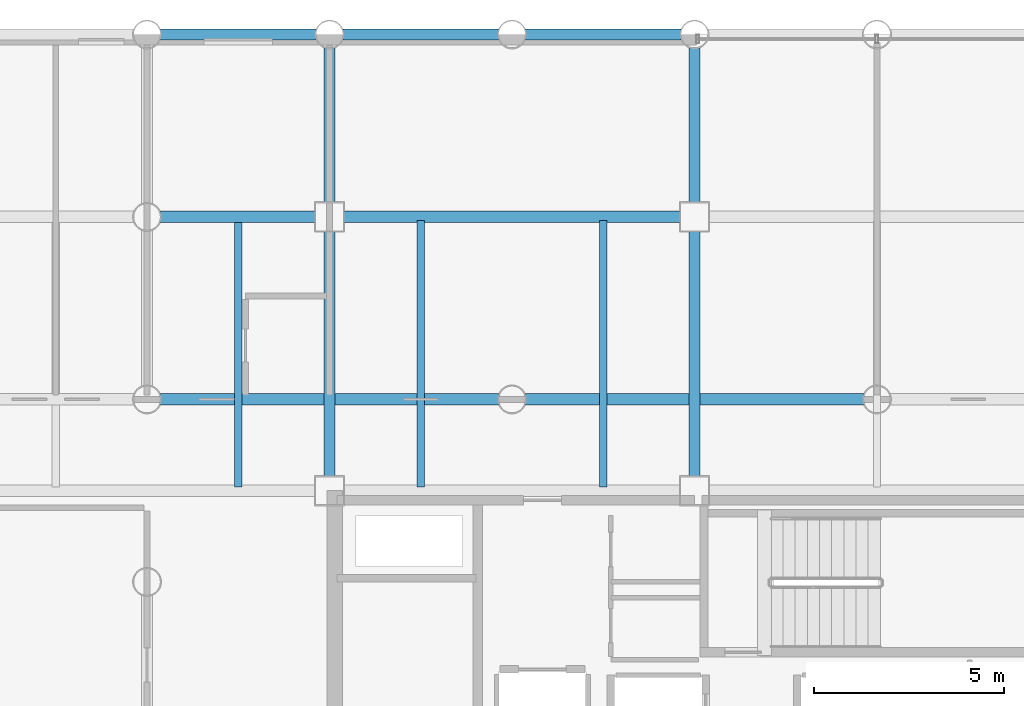
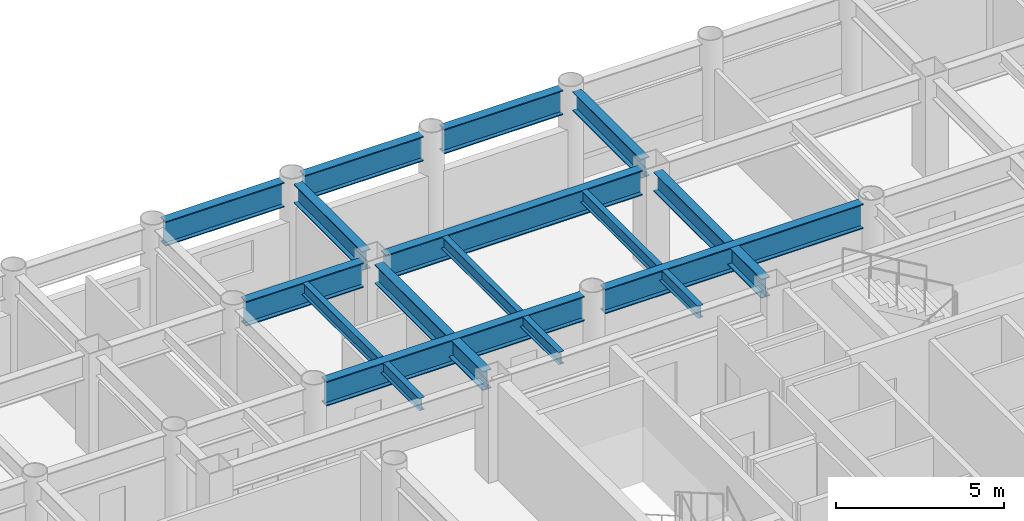
# One storey, part 10 of 21: 14 beams.
"""IFC4 building model written with IfcOpenShell, lengths in metres."""

from ifc_helpers import new_model, si_unit, direction, frame, origin, origin_2d, place, context, subcontext, project, spatial, i_section, extrude, material, material_profile, profile_set, type_object, element, save


model = new_model("IFC4")

# Units and contexts
model_context = context("Model", 3, precision=1e-05, world=origin(), true_north=direction((0.0, 1.0)))
body_context = subcontext(model_context, "Body", "Model", "MODEL_VIEW")
ifc_project = project(units=[si_unit("LENGTHUNIT", "METRE"), si_unit("AREAUNIT", "SQUARE_METRE"), si_unit("VOLUMEUNIT", "CUBIC_METRE"), si_unit("PLANEANGLEUNIT", "RADIAN"), si_unit("MASSUNIT", "GRAM", prefix="KILO")], contexts=[model_context])

# Site, building, storey
site_placement = place(None, origin())
site = spatial("IfcSite", under=ifc_project, at=site_placement, CompositionType="ELEMENT")
building_placement = place(site_placement, origin())
building = spatial("IfcBuilding", under=site, at=building_placement, Name="Kallvorn Hotel Tower", CompositionType="ELEMENT")
storey_placement = place(building_placement, frame((0.0, 0.0, 44.800048828125)))
storey = spatial("IfcBuildingStorey", under=building, at=storey_placement, Name="L09", CompositionType="ELEMENT", Elevation=44.800048828125)

# Beams
ifc_material_1 = material(Name="Structural steel S355JR", Category="steel")
ifc_material_profile_1 = material_profile(ifc_material_1, i_section(OverallWidth=0.300048828125, OverallDepth=0.699951171875, WebThickness=0.01708984375, FlangeThickness=0.031982421875, at=origin_2d()), Name="HE 700 B")
ifc_profile_set_1 = profile_set([ifc_material_profile_1], Name="Structural steel S355JR")
beam_type_1 = type_object("IfcBeamType", Name="BM_HE700B", PredefinedType="BEAM", material=ifc_profile_set_1)
beam_1_placement = place(storey_placement, frame((-14.39990234375, 7.574951171875, 3.169921875), z_axis=(0.0, 1.0, 0.0), x_axis=(-1.0, 0.0, 0.0)))
element("IfcBeam", 1, at=beam_1_placement, inside=storey, type_object=beam_type_1, Name="L10 Primary Y-Girder 101", PredefinedType="BEAM", context=body_context, shape_type="SweptSolid", body=[
    extrude(i_section(OverallWidth=0.300048828125, OverallDepth=0.699951171875, WebThickness=0.01708984375, FlangeThickness=0.031982421875, at=origin_2d()), origin(), (0.0, 0.0, 1.0), 6.449951171875),
])
beam_2_placement = place(storey_placement, frame((-14.39990234375, 14.77490234375, 3.169921875), z_axis=(0.0, 1.0, 0.0), x_axis=(-1.0, 0.0, 0.0)))
element("IfcBeam", 2, at=beam_2_placement, inside=storey, type_object=beam_type_1, Name="L10 Primary Y-Girder 102", PredefinedType="BEAM", context=body_context, shape_type="SweptSolid", body=[
    extrude(i_section(OverallWidth=0.300048828125, OverallDepth=0.699951171875, WebThickness=0.01708984375, FlangeThickness=0.031982421875, at=origin_2d()), origin(), (0.0, 0.0, 1.0), 4.069091796875),
])
beam_3_placement = place(storey_placement, frame((-4.800048828125, 7.574951171875, 3.169921875), z_axis=(0.0, 1.0, 0.0), x_axis=(-1.0, 0.0, 0.0)))
element("IfcBeam", 3, at=beam_3_placement, inside=storey, type_object=beam_type_1, Name="L10 Primary Y-Girder 109", PredefinedType="BEAM", context=body_context, shape_type="SweptSolid", body=[
    extrude(i_section(OverallWidth=0.300048828125, OverallDepth=0.699951171875, WebThickness=0.01708984375, FlangeThickness=0.031982421875, at=origin_2d()), origin(), (0.0, 0.0, 1.0), 6.449951171875),
])
beam_4_placement = place(storey_placement, frame((-4.800048828125, 14.77490234375, 3.169921875), z_axis=(0.0, 1.0, 0.0), x_axis=(-1.0, 0.0, 0.0)))
element("IfcBeam", 4, at=beam_4_placement, inside=storey, type_object=beam_type_1, Name="L10 Primary Y-Girder 110", PredefinedType="BEAM", context=body_context, shape_type="SweptSolid", body=[
    extrude(i_section(OverallWidth=0.300048828125, OverallDepth=0.699951171875, WebThickness=0.01708984375, FlangeThickness=0.031982421875, at=origin_2d()), origin(), (0.0, 0.0, 1.0), 4.069091796875),
])
ifc_material_2 = material(Name="Structural steel S355JR", Category="steel")
ifc_material_profile_2 = material_profile(ifc_material_2, i_section(OverallWidth=0.300048828125, OverallDepth=0.89990234375, WebThickness=0.0185546875, FlangeThickness=0.034912109375, at=origin_2d()), Name="HE 900 B")
ifc_profile_set_2 = profile_set([ifc_material_profile_2], Name="Structural steel S355JR")
beam_type_2 = type_object("IfcBeamType", Name="BM_HE900B", PredefinedType="BEAM", material=ifc_profile_set_2)
for number, where, z_axis, x_axis, name in (
    (5, (-18.843994140625, 9.60009765625, 3.070068359375), (1.0, 0.0, 0.0), (0.0, 1.0, 0.0), "L10 Primary X-Girder 45"),
    (6, (-9.243896484375, 9.60009765625, 3.070068359375), (1.0, 0.0, 0.0), (0.0, 1.0, 0.0), "L10 Primary X-Girder 46"),
):
    element("IfcBeam", number, at=place(storey_placement, frame(where, z_axis=z_axis, x_axis=x_axis)), inside=storey, type_object=beam_type_2, Name=name, PredefinedType="BEAM", context=body_context, shape_type="SweptSolid", body=[
        extrude(i_section(OverallWidth=0.300048828125, OverallDepth=0.89990234375, WebThickness=0.0185546875, FlangeThickness=0.034912109375, at=origin_2d()), origin(), (0.0, 0.0, 1.0), 8.887939453125),
    ])
beam_5_placement = place(storey_placement, frame((-18.843994140625, 14.39990234375, 3.070068359375), z_axis=(1.0, 0.0, 0.0), x_axis=(0.0, 1.0, 0.0)))
element("IfcBeam", 7, at=beam_5_placement, inside=storey, type_object=beam_type_2, Name="L10 Primary X-Girder 54", PredefinedType="BEAM", context=body_context, shape_type="SweptSolid", body=[
    extrude(i_section(OverallWidth=0.300048828125, OverallDepth=0.89990234375, WebThickness=0.0185546875, FlangeThickness=0.034912109375, at=origin_2d()), origin(), (0.0, 0.0, 1.0), 4.069091796875),
])
beam_6_placement = place(storey_placement, frame((-14.02490234375, 14.39990234375, 3.070068359375), z_axis=(1.0, 0.0, 0.0), x_axis=(0.0, 1.0, 0.0)))
element("IfcBeam", 8, at=beam_6_placement, inside=storey, type_object=beam_type_2, Name="L10 Primary X-Girder 55", PredefinedType="BEAM", context=body_context, shape_type="SweptSolid", body=[
    extrude(i_section(OverallWidth=0.300048828125, OverallDepth=0.89990234375, WebThickness=0.0185546875, FlangeThickness=0.034912109375, at=origin_2d()), origin(), (0.0, 0.0, 1.0), 8.849853515625),
])
for number, where, z_axis, x_axis, name in (
    (9, (-18.843994140625, 19.199951171875, 3.070068359375), (1.0, 0.0, 0.0), (0.0, 1.0, 0.0), "L10 Primary X-Girder 63"),
    (10, (-14.0439453125, 19.199951171875, 3.070068359375), (1.0, 0.0, 0.0), (0.0, 1.0, 0.0), "L10 Primary X-Girder 64"),
    (11, (-9.243896484375, 19.199951171875, 3.070068359375), (1.0, 0.0, 0.0), (0.0, 1.0, 0.0), "L10 Primary X-Girder 65"),
):
    element("IfcBeam", number, at=place(storey_placement, frame(where, z_axis=z_axis, x_axis=x_axis)), inside=storey, type_object=beam_type_2, Name=name, PredefinedType="BEAM", context=body_context, shape_type="SweptSolid", body=[
        extrude(i_section(OverallWidth=0.300048828125, OverallDepth=0.89990234375, WebThickness=0.0185546875, FlangeThickness=0.034912109375, at=origin_2d()), origin(), (0.0, 0.0, 1.0), 4.087890625),
    ])
ifc_material_3 = material(Name="Structural steel S355JR", Category="steel")
ifc_material_profile_3 = material_profile(ifc_material_3, i_section(OverallWidth=0.18994140625, OverallDepth=0.449951171875, WebThickness=0.009521484375, FlangeThickness=0.0146484375, at=origin_2d()), Name="IPE 450")
ifc_profile_set_3 = profile_set([ifc_material_profile_3], Name="Structural steel S355JR")
beam_type_3 = type_object("IfcBeamType", Name="BM_IPE450", PredefinedType="JOIST", material=ifc_profile_set_3)
for number, where, z_axis, x_axis, name in (
    (12, (-16.800048828125, 7.300048828125, 3.294921875), (0.0, 1.0, 0.0), (-1.0, 0.0, 0.0), "L10 Secondary Composite Joist 195"),
    (13, (-12.0, 7.300048828125, 3.294921875), (0.0, 1.0, 0.0), (-1.0, 0.0, 0.0), "L10 Secondary Composite Joist 197"),
    (14, (-7.199951171875, 7.300048828125, 3.294921875), (0.0, 1.0, 0.0), (-1.0, 0.0, 0.0), "L10 Secondary Composite Joist 199"),
):
    element("IfcBeam", number, at=place(storey_placement, frame(where, z_axis=z_axis, x_axis=x_axis)), inside=storey, type_object=beam_type_3, Name=name, PredefinedType="JOIST", context=body_context, shape_type="SweptSolid", body=[
        extrude(i_section(OverallWidth=0.18994140625, OverallDepth=0.449951171875, WebThickness=0.009521484375, FlangeThickness=0.0146484375, at=origin_2d()), origin(), (0.0, 0.0, 1.0), 7.0),
    ])

save(model, "model.ifc")
